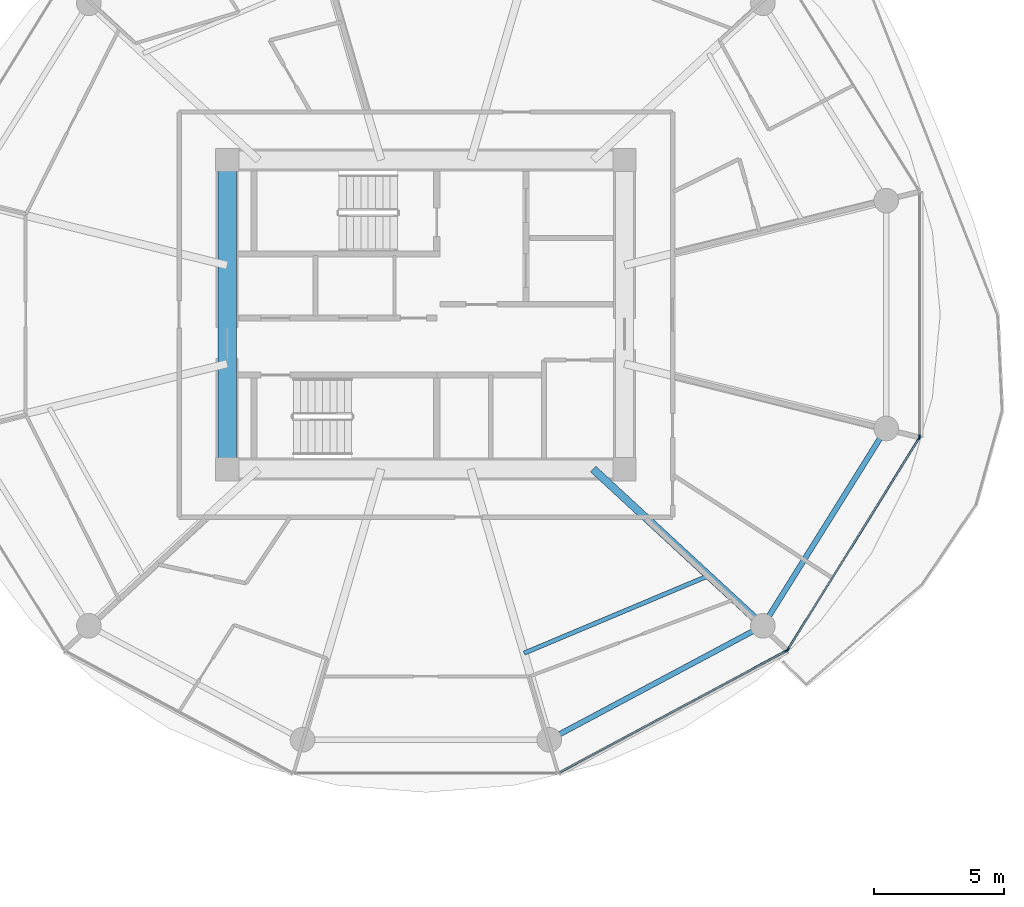
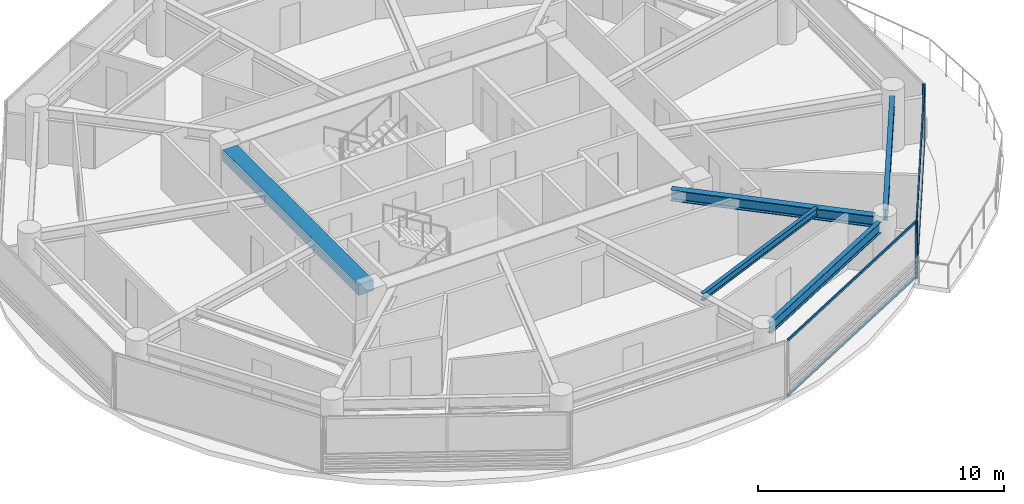
# One storey, part 11 of 27: 8 members, 5 beams, 3 elements without a shape of their own.
"""IFC4 building model written with IfcOpenShell, lengths in metres."""

import ifcopenshell
import ifcopenshell.guid

model = None  # the IFC model being written
_history = None  # IfcOwnerHistory: only IFC2X3 demands one
_inside = {}  # id of a spatial element -> (the spatial element, [elements in it])
_under = {}  # id of a project, library or spatial element -> (it, [spatial elements below it])
_declared = {}  # id of a project -> (the project, [libraries it declares])
_typed = {}  # id of a type object -> (the type object, [elements of that type])
_made_of = {}  # id of a material, layer set ... -> (it, [elements and type objects made of it])


def new_model(schema):
    """Start an empty IFC model of exactly this schema.

    Asked for "IFC4X3", IfcOpenShell would pick the latest addendum, in which some entities
    have other attributes; the version numbers below select the first issue.
    IFC2X3 requires an IfcOwnerHistory on every rooted entity: one is made here for all.
    """
    global model, _history
    if schema == "IFC4X3":
        model = ifcopenshell.file(schema_version=(4, 3, 0, 0))
    else:
        model = ifcopenshell.file(schema=schema)
    _inside.clear()
    _under.clear()
    _declared.clear()
    _typed.clear()
    _made_of.clear()
    _history = None
    if model.schema == "IFC2X3":
        org = make("IfcOrganization", Name="unknown")
        user = make(
            "IfcPersonAndOrganization",
            ThePerson=make("IfcPerson", FamilyName="unknown"),
            TheOrganization=org,
        )
        app = make(
            "IfcApplication",
            ApplicationDeveloper=org,
            Version="unknown",
            ApplicationFullName="unknown",
            ApplicationIdentifier="unknown",
        )
        _history = make(
            "IfcOwnerHistory",
            OwningUser=user,
            OwningApplication=app,
            ChangeAction="ADDED",
            CreationDate=0,
        )
    return model


def make(cls, **values):
    """One entity of the class cls with the attributes given. An attribute that is None is left unset."""
    return model.create_entity(
        cls, **{name: value for name, value in values.items() if value is not None}
    )


def rooted(cls, **values):
    """An entity with a GlobalId (a new one), such as an element, a storey or a relation."""
    return make(cls, GlobalId=ifcopenshell.guid.new(), OwnerHistory=_history, **values)


def si_unit(unit_type, name, prefix=None):
    """IfcSIUnit, for example si_unit("LENGTHUNIT", "METRE", prefix="MILLI")."""
    return make("IfcSIUnit", UnitType=unit_type, Prefix=prefix, Name=name)


def assignment(units):
    """IfcUnitAssignment: the units of a project."""
    return None if units is None else make("IfcUnitAssignment", Units=units)


def point(xyz):
    """IfcCartesianPoint."""
    return None if xyz is None else make("IfcCartesianPoint", Coordinates=xyz)


def direction(xyz):
    """IfcDirection."""
    return None if xyz is None else make("IfcDirection", DirectionRatios=xyz)


def frame(location, z_axis=None, x_axis=None):
    """IfcAxis2Placement3D, a coordinate frame: its origin and axes. An axis left out is left unset."""
    return make(
        "IfcAxis2Placement3D",
        Location=point(location),
        Axis=direction(z_axis),
        RefDirection=direction(x_axis),
    )


def frame_2d(location, x_axis=None):
    """IfcAxis2Placement2D, a coordinate frame in the plane: its origin and x axis."""
    return make(
        "IfcAxis2Placement2D", Location=point(location), RefDirection=direction(x_axis)
    )


def origin():
    """The frame at (0, 0, 0) with its axes left unset."""
    return frame((0.0, 0.0, 0.0))


def origin_2d():
    """The frame at (0, 0) in the plane with its x axis left unset."""
    return frame_2d((0.0, 0.0))


def place(relative_to, where):
    """IfcLocalPlacement: puts the frame where relative to a parent placement (None: the world)."""
    return make(
        "IfcLocalPlacement", PlacementRelTo=relative_to, RelativePlacement=where
    )


def context(
    kind, dimensions, precision=None, world=None, true_north=None, identifier=None
):
    """IfcGeometricRepresentationContext, for example the 3D "Model" context."""
    return make(
        "IfcGeometricRepresentationContext",
        ContextIdentifier=identifier,
        ContextType=kind,
        CoordinateSpaceDimension=dimensions,
        Precision=precision,
        WorldCoordinateSystem=world,
        TrueNorth=true_north,
    )


def subcontext(parent, identifier, kind, view, scale=None):
    """IfcGeometricRepresentationSubContext, for example "Body" below "Model"."""
    return make(
        "IfcGeometricRepresentationSubContext",
        ContextIdentifier=identifier,
        ContextType=kind,
        ParentContext=parent,
        TargetScale=scale,
        TargetView=view,
    )


def project(units=None, contexts=None):
    """IfcProject with its units and contexts."""
    return rooted(
        "IfcProject",
        Name="project",
        RepresentationContexts=contexts,
        UnitsInContext=assignment(units),
    )


def spatial(cls, under=None, at=None, **own):
    """A site, building, storey or space (cls), placed at a placement, below another one or the project."""
    s = rooted(cls, ObjectPlacement=at, **own)
    if under is not None:
        _under.setdefault(under.id(), (under, []))[1].append(s)
    return s


def profile(cls, at=None, kind="AREA", **sizes):
    """A parametric profile (cls). Its sizes go by their IFC names, for example OverallWidth=200.0."""
    return make(cls, ProfileType=kind, Position=at, **sizes)


def rectangle(**sizes):
    """IfcRectangleProfileDef."""
    return profile("IfcRectangleProfileDef", **sizes)


def i_section(**sizes):
    """IfcIShapeProfileDef."""
    return profile("IfcIShapeProfileDef", **sizes)


def extrude(swept, where, along, depth):
    """IfcExtrudedAreaSolid: the profile swept, set in the frame where, extruded along a direction by depth."""
    return make(
        "IfcExtrudedAreaSolid",
        SweptArea=swept,
        Position=where,
        ExtrudedDirection=direction(along),
        Depth=depth,
    )


def shape(context_of_items, identifier, shape_type, items):
    """IfcShapeRepresentation: the items that make up one representation, for example the "Body"."""
    return make(
        "IfcShapeRepresentation",
        ContextOfItems=context_of_items,
        RepresentationIdentifier=identifier,
        RepresentationType=shape_type,
        Items=items,
    )


def source(mapping_origin, context_of_items, identifier, shape_type, items):
    """IfcRepresentationMap: a shape defined once, which mapped items show again and again."""
    return make(
        "IfcRepresentationMap",
        MappingOrigin=mapping_origin,
        MappedRepresentation=shape(context_of_items, identifier, shape_type, items),
    )


def transform(
    local_origin,
    x_axis=None,
    y_axis=None,
    z_axis=None,
    scale=None,
    scale2=None,
    scale3=None,
    uniform=True,
):
    """IfcCartesianTransformationOperator3D, or its non-uniform kind. x_axis, y_axis, z_axis: its Axis1, 2, 3."""
    if uniform:
        return make(
            "IfcCartesianTransformationOperator3D",
            Axis1=direction(x_axis),
            Axis2=direction(y_axis),
            LocalOrigin=point(local_origin),
            Scale=scale,
            Axis3=direction(z_axis),
        )
    return make(
        "IfcCartesianTransformationOperator3DnonUniform",
        Axis1=direction(x_axis),
        Axis2=direction(y_axis),
        LocalOrigin=point(local_origin),
        Scale=scale,
        Axis3=direction(z_axis),
        Scale2=scale2,
        Scale3=scale3,
    )


def mapped(mapping_source, mapping_target):
    """IfcMappedItem: shows the shape of a source again, moved by a transform."""
    return make(
        "IfcMappedItem", MappingSource=mapping_source, MappingTarget=mapping_target
    )


def material(Name=None, Category=None):
    """IfcMaterial."""
    return make("IfcMaterial", Name=Name, Category=Category)


def layer(
    of_material, thickness, ventilated=None, Name=None, Category=None, Priority=None
):
    """IfcMaterialLayer: one layer of a wall or slab, of a material (None: an air gap)."""
    return make(
        "IfcMaterialLayer",
        Material=of_material,
        LayerThickness=thickness,
        IsVentilated=ventilated,
        Name=Name,
        Category=Category,
        Priority=Priority,
    )


def layer_set(layers, Name=None):
    """IfcMaterialLayerSet."""
    return make("IfcMaterialLayerSet", MaterialLayers=layers, LayerSetName=Name)


def material_profile(
    of_material, cross_section, Name=None, Category=None, Priority=None
):
    """IfcMaterialProfile: a cross section and its material."""
    return make(
        "IfcMaterialProfile",
        Name=Name,
        Material=of_material,
        Profile=cross_section,
        Priority=Priority,
        Category=Category,
    )


def profile_set(profiles, Name=None, composite=None):
    """IfcMaterialProfileSet."""
    return make(
        "IfcMaterialProfileSet",
        Name=Name,
        MaterialProfiles=profiles,
        CompositeProfile=composite,
    )


def made_of(thing, what):
    """Note that an element or type object is made of a material, layer set ...; save() writes the relation."""
    if what is not None:
        _made_of.setdefault(what.id(), (what, []))[1].append(thing)
    return thing


def type_object(cls, material=None, **own):
    """A type object (cls), such as IfcWallType, which elements share."""
    return made_of(rooted(cls, **own), material)


def type_shapes(of_type, sources):
    """Give a type object the sources (RepresentationMaps) that its elements show as mapped items."""
    of_type.RepresentationMaps = sources


def element(
    cls,
    number,
    at=None,
    inside=None,
    cuts=None,
    type_object=None,
    material=None,
    context=None,
    identifier="Body",
    shape_type=None,
    held_by="IfcProductDefinitionShape",
    body=None,
    shapes=None,
    **own,
):
    """One element of the class cls, such as IfcWall. Its Tag is "e" and its number.

    at: its placement. inside: the storey or other place that contains it. cuts: it is an
    opening in that element (IfcRelVoidsElement). A single representation is given by context,
    identifier, shape_type and body (its items); several are given by shapes. held_by: the class
    of the entity that holds the representations. save() writes the other relations.
    """
    e = rooted(cls, Tag="e%d" % number, ObjectPlacement=at, **own)
    if body is not None:
        shapes = [shape(context, identifier, shape_type, body)]
    if shapes is not None:
        e.Representation = make(held_by, Representations=shapes)
    if inside is not None:
        _inside.setdefault(inside.id(), (inside, []))[1].append(e)
    if cuts is not None:
        rooted(
            "IfcRelVoidsElement", RelatingBuildingElement=cuts, RelatedOpeningElement=e
        )
    if type_object is not None:
        _typed.setdefault(type_object.id(), (type_object, []))[1].append(e)
    return made_of(e, material)


def aggregate(whole, parts):
    """IfcRelAggregates: a whole, such as a stair, and the parts it consists of."""
    return rooted("IfcRelAggregates", RelatingObject=whole, RelatedObjects=parts)


def save(model, path):
    """Write the relations noted so far, then the file.

    IfcRelAggregates (storeys below a building ...), IfcRelContainedInSpatialStructure (elements
    in a storey), IfcRelDefinesByType, IfcRelAssociatesMaterial and IfcRelDeclares: one each for
    every whole, place, type object, material and project.
    """
    for whole, parts in _under.values():
        aggregate(whole, parts)
    for where, things in _inside.values():
        rooted(
            "IfcRelContainedInSpatialStructure",
            RelatedElements=things,
            RelatingStructure=where,
        )
    for kind, things in _typed.values():
        rooted("IfcRelDefinesByType", RelatedObjects=things, RelatingType=kind)
    for what, things in _made_of.values():
        rooted("IfcRelAssociatesMaterial", RelatedObjects=things, RelatingMaterial=what)
    for by, libraries in _declared.values():
        rooted("IfcRelDeclares", RelatingContext=by, RelatedDefinitions=libraries)
    model.write(path)


model = new_model("IFC4")

# Units and contexts
model_context = context("Model", 3, precision=1e-05, world=origin(), true_north=direction((0.0, 1.0)))
body_context = subcontext(model_context, "Body", "Model", "MODEL_VIEW")
ifc_project = project(units=[si_unit("LENGTHUNIT", "METRE"), si_unit("AREAUNIT", "SQUARE_METRE"), si_unit("VOLUMEUNIT", "CUBIC_METRE"), si_unit("PLANEANGLEUNIT", "RADIAN"), si_unit("MASSUNIT", "GRAM", prefix="KILO")], contexts=[model_context])

# Site, building, storey
site_placement = place(None, origin())
site = spatial("IfcSite", under=ifc_project, at=site_placement, CompositionType="ELEMENT")
building_placement = place(site_placement, origin())
building = spatial("IfcBuilding", under=site, at=building_placement, Name="Norrkilde Senior Care Towers", CompositionType="ELEMENT")
storey_placement = place(building_placement, frame((0.0, 0.0, 46.0)))
storey = spatial("IfcBuildingStorey", under=building, at=storey_placement, Name="L13", CompositionType="ELEMENT", Elevation=46.0)

# Beams
ifc_material_1 = material(Name="Concrete C60/75", Category="concrete")
ifc_material_profile_1 = material_profile(ifc_material_1, rectangle(XDim=0.699951171875, YDim=0.550048828125, at=origin_2d()), Name="RC BM 700x550")
ifc_profile_set_1 = profile_set([ifc_material_profile_1], Name="Concrete C60/75")
beam_type_1 = type_object("IfcBeamType", Name="Core Portal Coupling Beam 700x550", PredefinedType="USERDEFINED", material=ifc_profile_set_1)
shared_shape_1 = source(origin(), body_context, "Body", "SweptSolid", [
    extrude(rectangle(XDim=0.699951171875, YDim=0.550048828125, at=origin_2d()), origin(), (0.0, 0.0, 1.0), 11.0400390625),
])
type_shapes(beam_type_1, [shared_shape_1])
beam_1_placement = place(storey_placement, frame((20.35009765625, -5.52001953125, 2.514892578125), z_axis=(0.0, 1.0, 0.0), x_axis=(-1.0, 0.0, 0.0)))
element("IfcBeam", 1, at=beam_1_placement, inside=storey, type_object=beam_type_1, Name="L13 Core E W Coupling Girder", ObjectType="GIRDER", PredefinedType="USERDEFINED", context=body_context, shape_type="MappedRepresentation", body=[
    mapped(shared_shape_1, transform((0.0, 0.0, 0.0), x_axis=(1.0, 0.0, 0.0), y_axis=(0.0, 1.0, 0.0), z_axis=(0.0, 0.0, 1.0), scale=1.0)),
])
ifc_material_2 = material(Name="Steel S355", Category="steel")
ifc_material_profile_2 = material_profile(ifc_material_2, i_section(OverallWidth=0.2099609375, OverallDepth=0.550048828125, WebThickness=0.010986328125, FlangeThickness=0.01708984375, FilletRadius=0.02392578125, at=origin_2d()), Name="IPE 550")
ifc_profile_set_2 = profile_set([ifc_material_profile_2], Name="Steel S355")
beam_type_2 = type_object("IfcBeamType", Name="Perimeter Ring Spandrel Z1 IPE550", PredefinedType="SPANDREL", material=ifc_profile_set_2)
shared_shape_2 = source(origin(), body_context, "Body", "SweptSolid", [
    extrude(i_section(OverallWidth=0.2099609375, OverallDepth=0.550048828125, WebThickness=0.010986328125, FlangeThickness=0.01708984375, FilletRadius=0.02392578125, at=origin_2d()), origin(), (0.0, 0.0, 1.0), 8.090576171875),
])
beam_2_placement = place(storey_placement, frame((41.2060546875, -11.61669921875, 2.514892578125), z_axis=(0.530004364821, 0.84799491347, 0.0), x_axis=(-0.84799491347, 0.530004364821, 0.0)))
element("IfcBeam", 2, at=beam_2_placement, inside=storey, type_object=beam_type_2, Name="L13 Drum E Perimeter Spandrel 11", PredefinedType="SPANDREL", context=body_context, shape_type="MappedRepresentation", body=[
    mapped(shared_shape_2, transform((0.0, 0.0, 0.0), x_axis=(1.0, 0.0, 0.0), y_axis=(0.0, 1.0, 0.0), z_axis=(0.0, 0.0, 1.0), scale=1.0)),
])
shared_shape_3 = source(origin(), body_context, "Body", "SweptSolid", [
    extrude(i_section(OverallWidth=0.2099609375, OverallDepth=0.550048828125, WebThickness=0.010986328125, FlangeThickness=0.01708984375, FilletRadius=0.02392578125, at=origin_2d()), origin(), (0.0, 0.0, 1.0), 8.452880859375),
])
type_shapes(beam_type_2, [shared_shape_2, shared_shape_3])
beam_3_placement = place(storey_placement, frame((33.133056640625, -16.167724609375, 2.514892578125), z_axis=(0.882368931134, 0.470558252898, 0.0), x_axis=(-0.470558252898, 0.882368931134, 0.0)))
element("IfcBeam", 3, at=beam_3_placement, inside=storey, type_object=beam_type_2, Name="L13 Drum E Perimeter Spandrel 10", PredefinedType="SPANDREL", context=body_context, shape_type="MappedRepresentation", body=[
    mapped(shared_shape_3, transform((0.0, 0.0, 0.0), x_axis=(1.0, 0.0, 0.0), y_axis=(0.0, 1.0, 0.0), z_axis=(0.0, 0.0, 1.0), scale=1.0)),
])
ifc_material_profile_3 = material_profile(ifc_material_2, i_section(OverallWidth=0.300048828125, OverallDepth=0.550048828125, WebThickness=0.014892578125, FlangeThickness=0.029052734375, FilletRadius=0.027099609375, at=origin_2d()), Name="HEB 550")
ifc_profile_set_3 = profile_set([ifc_material_profile_3], Name="Steel S355")
beam_type_3 = type_object("IfcBeamType", Name="Radial Floor Beam Z1 HEB550", PredefinedType="BEAM", material=ifc_profile_set_3)
shared_shape_4 = source(origin(), body_context, "Body", "SweptSolid", [
    extrude(i_section(OverallWidth=0.300048828125, OverallDepth=0.550048828125, WebThickness=0.014892578125, FlangeThickness=0.029052734375, FilletRadius=0.027099609375, at=origin_2d()), origin(), (0.0, 0.0, 1.0), 8.459716796875),
])
type_shapes(beam_type_3, [shared_shape_4])
beam_4_placement = place(storey_placement, frame((34.44140625, -5.949951171875, 2.514892578125), z_axis=(0.734573269108, -0.678529374686, 0.0), x_axis=(0.678529374686, 0.734573269108, 0.0)))
element("IfcBeam", 4, at=beam_4_placement, inside=storey, type_object=beam_type_3, Name="L13 Drum E Radial Floor Beam 11", PredefinedType="BEAM", context=body_context, shape_type="MappedRepresentation", body=[
    mapped(shared_shape_4, transform((0.0, 0.0, 0.0), x_axis=(1.0, 0.0, 0.0), y_axis=(0.0, 1.0, 0.0), z_axis=(0.0, 0.0, 1.0), scale=1.0)),
])
ifc_material_profile_4 = material_profile(ifc_material_2, i_section(OverallWidth=0.169921875, OverallDepth=0.360107421875, WebThickness=0.008056640625, FlangeThickness=0.0126953125, FilletRadius=0.01806640625, at=origin_2d()), Name="IPE 360")
ifc_profile_set_4 = profile_set([ifc_material_profile_4], Name="Steel S355")
beam_type_4 = type_object("IfcBeamType", Name="Secondary Floor Joist IPE360", PredefinedType="JOIST", material=ifc_profile_set_4)
shared_shape_5 = source(origin(), body_context, "Body", "SweptSolid", [
    extrude(i_section(OverallWidth=0.169921875, OverallDepth=0.360107421875, WebThickness=0.008056640625, FlangeThickness=0.0126953125, FilletRadius=0.01806640625, at=origin_2d()), origin(), (0.0, 0.0, 1.0), 7.703857421875),
])
type_shapes(beam_type_4, [shared_shape_5])
beam_5_placement = place(storey_placement, frame((31.78173828125, -13.037353515625, 2.610107421875), z_axis=(0.921982784465, 0.387230868023, 0.0), x_axis=(-0.387230868023, 0.921982784465, 0.0)))
element("IfcBeam", 5, at=beam_5_placement, inside=storey, type_object=beam_type_4, Name="L13 Drum E Secondary Floor Joist 4", PredefinedType="JOIST", context=body_context, shape_type="MappedRepresentation", body=[
    mapped(shared_shape_5, transform((0.0, 0.0, 0.0), x_axis=(1.0, 0.0, 0.0), y_axis=(0.0, 1.0, 0.0), z_axis=(0.0, 0.0, 1.0), scale=1.0)),
])

# Curtain wall, member
ifc_material_3 = material(Name="Triple Low-E Insulated Glazing", Category="glass")
ifc_layer = layer(ifc_material_3, 0.199951171875)
ifc_layer_set = layer_set([ifc_layer], Name="Triple Low-E Insulated Glazing")
curtain_wall_type = type_object("IfcCurtainWallType", Name="CW2 Zone 1 Memory Care Curtain Wall", PredefinedType="NOTDEFINED", material=ifc_layer_set)
curtain_wall_1_placement = place(storey_placement, origin())
curtain_wall_1 = element("IfcCurtainWall", 6, at=curtain_wall_1_placement, inside=storey, type_object=curtain_wall_type, Name="L13 Drum E Curtain Wall 09", PredefinedType="NOTDEFINED")
ifc_material_4 = material(Name="Anodised Aluminium", Category="aluminium")
ifc_material_profile_5 = material_profile(ifc_material_4, rectangle(XDim=0.06494140625, YDim=0.159912109375, at=origin_2d()), Name="ALU MULL 65x160")
ifc_profile_set_5 = profile_set([ifc_material_profile_5], Name="Anodised Aluminium")
member_type_1 = type_object("IfcMemberType", Name="Curtain Wall Mullion Z1-Z2 65x160", PredefinedType="MULLION", material=ifc_profile_set_5)
shared_shape_6 = source(origin(), body_context, "Body", "SweptSolid", [
    extrude(rectangle(XDim=0.06494140625, YDim=0.159912109375, at=origin_2d()), origin(), (0.0, 0.0, 1.0), 2.7900390625),
])
type_shapes(member_type_1, [shared_shape_6])
member_1_placement = place(storey_placement, frame((41.88720703125, -12.941162109375, 0.0), z_axis=(0.0, 0.0, 1.0), x_axis=(0.472607802456, -0.881272866403, 0.0)))
member_1 = element("IfcMember", 7, at=member_1_placement, type_object=member_type_1, Name="CW-2 mullion 1", PredefinedType="MULLION", context=body_context, shape_type="MappedRepresentation", body=[
    mapped(shared_shape_6, transform((0.0, 0.0, 0.0), x_axis=(1.0, 0.0, 0.0), y_axis=(0.0, 1.0, 0.0), z_axis=(0.0, 0.0, 1.0), scale=1.0)),
])

# Curtain wall, members
curtain_wall_2_placement = place(storey_placement, origin())
curtain_wall_2 = element("IfcCurtainWall", 8, at=curtain_wall_2_placement, inside=storey, type_object=curtain_wall_type, Name="L13 Drum E Curtain Wall 10", PredefinedType="NOTDEFINED")
member_2_placement = place(storey_placement, frame((46.9921875, -4.7587890625, 0.0), z_axis=(0.0, 0.0, 1.0), x_axis=(0.849305943117, -0.527900951871, 0.0)))
member_2 = element("IfcMember", 9, at=member_2_placement, type_object=member_type_1, Name="CW-2 mullion 1", PredefinedType="MULLION", context=body_context, shape_type="MappedRepresentation", body=[
    mapped(shared_shape_6, transform((0.0, 0.0, 0.0), x_axis=(1.0, 0.0, 0.0), y_axis=(0.0, 1.0, 0.0), z_axis=(0.0, 0.0, 1.0), scale=1.0)),
])
member_3_placement = place(storey_placement, frame((41.93310546875, -12.898193359375, 0.0), z_axis=(0.0, 0.0, 1.0), x_axis=(0.849305943117, -0.527900951871, 0.0)))
member_3 = element("IfcMember", 10, at=member_3_placement, type_object=member_type_1, Name="CW-2 mullion 2", PredefinedType="MULLION", context=body_context, shape_type="MappedRepresentation", body=[
    mapped(shared_shape_6, transform((0.0, 0.0, 0.0), x_axis=(1.0, 0.0, 0.0), y_axis=(0.0, 1.0, 0.0), z_axis=(0.0, 0.0, 1.0), scale=1.0)),
])

# Curtain wall, member
curtain_wall_3_placement = place(storey_placement, origin())
curtain_wall_3 = element("IfcCurtainWall", 11, at=curtain_wall_3_placement, inside=storey, type_object=curtain_wall_type, Name="L13 Drum E Curtain Wall 11", PredefinedType="NOTDEFINED")
member_4_placement = place(storey_placement, frame((47.009521484375, -4.69873046875, 0.0), z_axis=(0.0, 0.0, 1.0), x_axis=(1.0, 0.0, 0.0)))
member_4 = element("IfcMember", 12, at=member_4_placement, type_object=member_type_1, Name="CW-2 mullion 2", PredefinedType="MULLION", context=body_context, shape_type="MappedRepresentation", body=[
    mapped(shared_shape_6, transform((0.0, 0.0, 0.0), x_axis=(1.0, 0.0, 0.0), y_axis=(0.0, 1.0, 0.0), z_axis=(0.0, 0.0, 1.0), scale=1.0)),
])
aggregate(curtain_wall_3, [member_4])

# Member
ifc_material_profile_6 = material_profile(ifc_material_4, rectangle(XDim=0.06005859375, YDim=0.1201171875, at=origin_2d()), Name="ALU TRAN 60x120")
ifc_profile_set_6 = profile_set([ifc_material_profile_6], Name="Anodised Aluminium")
member_type_2 = type_object("IfcMemberType", Name="Curtain Wall Transom Typical 60x120", PredefinedType="USERDEFINED", material=ifc_profile_set_6)
shared_shape_7 = source(origin(), body_context, "Body", "SweptSolid", [
    extrude(rectangle(XDim=0.06005859375, YDim=0.1201171875, at=origin_2d()), origin(), (0.0, 0.0, 1.0), 9.5185546875),
])
member_5_placement = place(storey_placement, frame((46.97509765625, -4.786376953125, 0.030029296875), z_axis=(-0.527901620669, -0.849305527413, 0.0), x_axis=(0.849305527413, -0.527901620669, 0.0)))
member_5 = element("IfcMember", 13, at=member_5_placement, type_object=member_type_2, Name="CW-2 transom 1.1", ObjectType="TRANSOM", PredefinedType="USERDEFINED", context=body_context, shape_type="MappedRepresentation", body=[
    mapped(shared_shape_7, transform((0.0, 0.0, 0.0), x_axis=(1.0, 0.0, 0.0), y_axis=(0.0, 1.0, 0.0), z_axis=(0.0, 0.0, 1.0), scale=1.0)),
])

member_6_placement = place(storey_placement, frame((46.97509765625, -4.786376953125, 2.760009765625), z_axis=(-0.527901620669, -0.849305527413, 0.0), x_axis=(0.849305527413, -0.527901620669, 0.0)))
member_6 = element("IfcMember", 14, at=member_6_placement, type_object=member_type_2, Name="CW-2 transom 1.2", ObjectType="TRANSOM", PredefinedType="USERDEFINED", context=body_context, shape_type="MappedRepresentation", body=[
    mapped(shared_shape_7, transform((0.0, 0.0, 0.0), x_axis=(1.0, 0.0, 0.0), y_axis=(0.0, 1.0, 0.0), z_axis=(0.0, 0.0, 1.0), scale=1.0)),
])

aggregate(curtain_wall_2, [member_2, member_3, member_5, member_6])

shared_shape_8 = source(origin(), body_context, "Body", "SweptSolid", [
    extrude(rectangle(XDim=0.06005859375, YDim=0.1201171875, at=origin_2d()), origin(), (0.0, 0.0, 1.0), 9.880859375),
])
type_shapes(member_type_2, [shared_shape_7, shared_shape_8])
member_7_placement = place(storey_placement, frame((41.858642578125, -12.95654296875, 0.030029296875), z_axis=(-0.881267204043, -0.47261836092, 0.0), x_axis=(0.47261836092, -0.881267204043, 0.0)))
member_7 = element("IfcMember", 15, at=member_7_placement, type_object=member_type_2, Name="CW-2 transom 1.1", ObjectType="TRANSOM", PredefinedType="USERDEFINED", context=body_context, shape_type="MappedRepresentation", body=[
    mapped(shared_shape_8, transform((0.0, 0.0, 0.0), x_axis=(1.0, 0.0, 0.0), y_axis=(0.0, 1.0, 0.0), z_axis=(0.0, 0.0, 1.0), scale=1.0)),
])

member_8_placement = place(storey_placement, frame((41.858642578125, -12.95654296875, 2.760009765625), z_axis=(-0.881267204043, -0.47261836092, 0.0), x_axis=(0.47261836092, -0.881267204043, 0.0)))
member_8 = element("IfcMember", 16, at=member_8_placement, type_object=member_type_2, Name="CW-2 transom 1.2", ObjectType="TRANSOM", PredefinedType="USERDEFINED", context=body_context, shape_type="MappedRepresentation", body=[
    mapped(shared_shape_8, transform((0.0, 0.0, 0.0), x_axis=(1.0, 0.0, 0.0), y_axis=(0.0, 1.0, 0.0), z_axis=(0.0, 0.0, 1.0), scale=1.0)),
])

aggregate(curtain_wall_1, [member_1, member_7, member_8])

save(model, "model.ifc")
